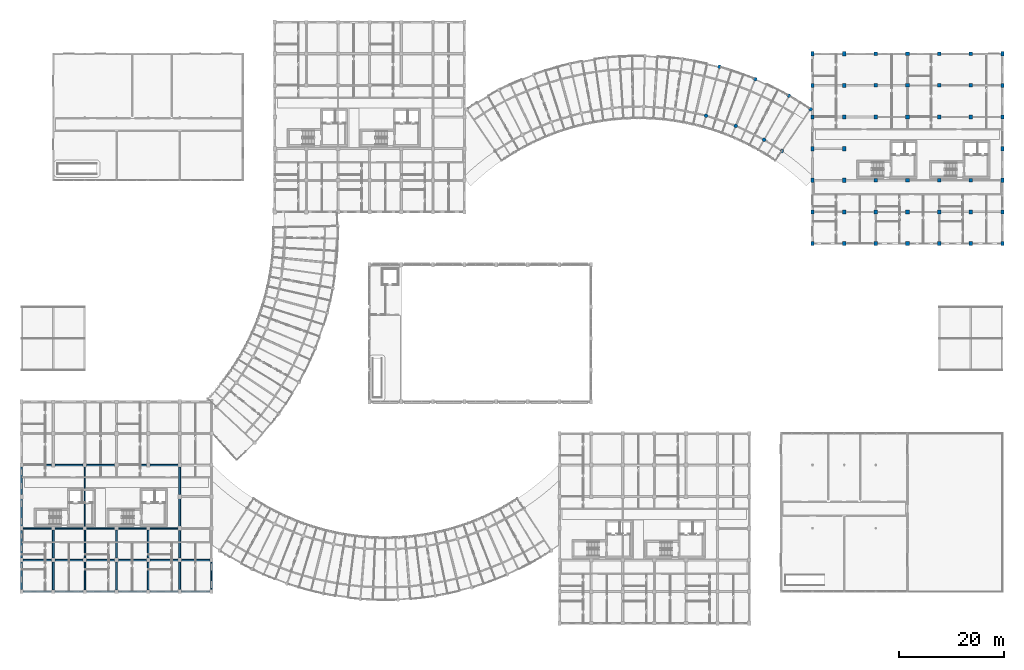
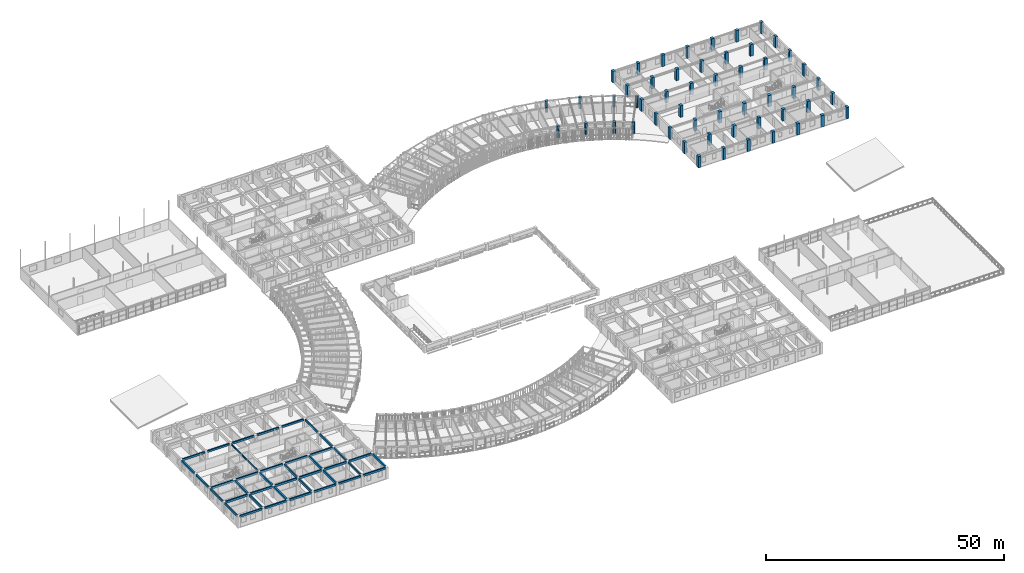
# One storey, part 14 of 137: 53 columns, 40 beams.
"""IFC4 building model written with IfcOpenShell, lengths in metres."""

from ifc_helpers import new_model, si_unit, direction, frame, origin, origin_2d, place, context, subcontext, project, spatial, rectangle, circle, i_section, extrude, material, material_profile, profile_set, type_object, element, save


model = new_model("IFC4")

# Units and contexts
model_context = context("Model", 3, precision=1e-05, world=origin(), true_north=direction((0.0, 1.0)))
body_context = subcontext(model_context, "Body", "Model", "MODEL_VIEW")
ifc_project = project(units=[si_unit("LENGTHUNIT", "METRE"), si_unit("AREAUNIT", "SQUARE_METRE"), si_unit("VOLUMEUNIT", "CUBIC_METRE"), si_unit("PLANEANGLEUNIT", "RADIAN"), si_unit("MASSUNIT", "GRAM", prefix="KILO"), si_unit("POWERUNIT", "WATT"), si_unit("THERMODYNAMICTEMPERATUREUNIT", "KELVIN")], contexts=[model_context])

# Site, building, storey
site_placement = place(None, origin())
site = spatial("IfcSite", under=ifc_project, at=site_placement, CompositionType="ELEMENT")
building_placement = place(site_placement, origin())
building = spatial("IfcBuilding", under=site, at=building_placement, Name="Ruvembo Vaulted Housing Court", CompositionType="ELEMENT")
storey_placement = place(building_placement, frame((0.0, 0.0, 4.5)))
storey = spatial("IfcBuildingStorey", under=building, at=storey_placement, Name="L01", CompositionType="ELEMENT", Elevation=4.5)

# Columns
ifc_material_1 = material(Name="Concrete C40/50", Category="concrete")
ifc_material_profile_1 = material_profile(ifc_material_1, rectangle(XDim=0.60009765625, YDim=0.800048828125, at=origin_2d()), Name="RC 600x800")
ifc_profile_set_1 = profile_set([ifc_material_profile_1], Name="Concrete C40/50")
column_type_1 = type_object("IfcColumnType", Name="COL-RC-600x800", PredefinedType="COLUMN", material=ifc_profile_set_1)
for number, where, z_axis, x_axis, name in (
    (1, (150.0, 72.0, 0.0), (0.0, 0.0, 1.0), (1.0, 0.0, 0.0), "L01 Column (150,72)"),
    (2, (150.0, 78.0, 0.0), (0.0, 0.0, 1.0), (1.0, 0.0, 0.0), "L01 Column (150,78)"),
    (3, (150.0, 84.0, 0.0), (0.0, 0.0, 1.0), (1.0, 0.0, 0.0), "L01 Column (150,84)"),
    (4, (150.0, 90.0, 0.0), (0.0, 0.0, 1.0), (1.0, 0.0, 0.0), "L01 Column (150,90)"),
    (5, (150.0, 96.0, 0.0), (0.0, 0.0, 1.0), (1.0, 0.0, 0.0), "L01 Column (150,96)"),
    (6, (150.0, 102.0, 0.0), (0.0, 0.0, 1.0), (1.0, 0.0, 0.0), "L01 Column (150,102)"),
    (7, (150.0, 108.0, 0.0), (0.0, 0.0, 1.0), (1.0, 0.0, 0.0), "L01 Column (150,108)"),
    (8, (156.0, 72.0, 0.0), (0.0, 0.0, 1.0), (1.0, 0.0, 0.0), "L01 Column (156,72)"),
    (9, (156.0, 78.0, 0.0), (0.0, 0.0, 1.0), (1.0, 0.0, 0.0), "L01 Column (156,78)"),
    (10, (156.0, 84.0, 0.0), (0.0, 0.0, 1.0), (1.0, 0.0, 0.0), "L01 Column (156,84)"),
    (11, (156.0, 90.0, 0.0), (0.0, 0.0, 1.0), (1.0, 0.0, 0.0), "L01 Column (156,90)"),
    (12, (156.0, 96.0, 0.0), (0.0, 0.0, 1.0), (1.0, 0.0, 0.0), "L01 Column (156,96)"),
    (13, (156.0, 102.0, 0.0), (0.0, 0.0, 1.0), (1.0, 0.0, 0.0), "L01 Column (156,102)"),
    (14, (156.0, 108.0, 0.0), (0.0, 0.0, 1.0), (1.0, 0.0, 0.0), "L01 Column (156,108)"),
    (15, (186.0, 72.0, 0.0), (0.0, 0.0, 1.0), (1.0, 0.0, 0.0), "L01 Column (186,72)"),
    (16, (186.0, 78.0, 0.0), (0.0, 0.0, 1.0), (1.0, 0.0, 0.0), "L01 Column (186,78)"),
    (17, (186.0, 84.0, 0.0), (0.0, 0.0, 1.0), (1.0, 0.0, 0.0), "L01 Column (186,84)"),
    (18, (186.0, 90.0, 0.0), (0.0, 0.0, 1.0), (1.0, 0.0, 0.0), "L01 Column (186,90)"),
    (19, (186.0, 96.0, 0.0), (0.0, 0.0, 1.0), (1.0, 0.0, 0.0), "L01 Column (186,96)"),
    (20, (186.0, 102.0, 0.0), (0.0, 0.0, 1.0), (1.0, 0.0, 0.0), "L01 Column (186,102)"),
    (21, (186.0, 108.0, 0.0), (0.0, 0.0, 1.0), (1.0, 0.0, 0.0), "L01 Column (186,108)"),
):
    element("IfcColumn", number, at=place(storey_placement, frame(where, z_axis=z_axis, x_axis=x_axis)), inside=storey, type_object=column_type_1, Name=name, PredefinedType="COLUMN", context=body_context, shape_type="SweptSolid", body=[
        extrude(rectangle(XDim=0.60009765625, YDim=0.800048828125, at=origin_2d()), origin(), (0.0, 0.0, 1.0), 2.945068359375),
    ])
ifc_material_profile_2 = material_profile(ifc_material_1, rectangle(XDim=0.699951171875, YDim=0.699951171875, at=origin_2d()), Name="RC 700x700")
ifc_profile_set_2 = profile_set([ifc_material_profile_2], Name="Concrete C40/50")
column_type_2 = type_object("IfcColumnType", Name="COL-RC-700", PredefinedType="COLUMN", material=ifc_profile_set_2)
for number, where, z_axis, x_axis, name in (
    (22, (162.0, 72.0, 0.0), (0.0, 0.0, 1.0), (1.0, 0.0, 0.0), "L01 Column (162,72)"),
    (23, (162.0, 78.0, 0.0), (0.0, 0.0, 1.0), (1.0, 0.0, 0.0), "L01 Column (162,78)"),
    (24, (162.0, 84.0, 0.0), (0.0, 0.0, 1.0), (1.0, 0.0, 0.0), "L01 Column (162,84)"),
    (25, (162.0, 96.0, 0.0), (0.0, 0.0, 1.0), (1.0, 0.0, 0.0), "L01 Column (162,96)"),
    (26, (162.0, 102.0, 0.0), (0.0, 0.0, 1.0), (1.0, 0.0, 0.0), "L01 Column (162,102)"),
    (27, (162.0, 108.0, 0.0), (0.0, 0.0, 1.0), (1.0, 0.0, 0.0), "L01 Column (162,108)"),
    (28, (168.0, 72.0, 0.0), (0.0, 0.0, 1.0), (1.0, 0.0, 0.0), "L01 Column (168,72)"),
    (29, (168.0, 78.0, 0.0), (0.0, 0.0, 1.0), (1.0, 0.0, 0.0), "L01 Column (168,78)"),
    (30, (168.0, 84.0, 0.0), (0.0, 0.0, 1.0), (1.0, 0.0, 0.0), "L01 Column (168,84)"),
    (31, (168.0, 96.0, 0.0), (0.0, 0.0, 1.0), (1.0, 0.0, 0.0), "L01 Column (168,96)"),
    (32, (168.0, 102.0, 0.0), (0.0, 0.0, 1.0), (1.0, 0.0, 0.0), "L01 Column (168,102)"),
    (33, (168.0, 108.0, 0.0), (0.0, 0.0, 1.0), (1.0, 0.0, 0.0), "L01 Column (168,108)"),
    (34, (174.0, 72.0, 0.0), (0.0, 0.0, 1.0), (1.0, 0.0, 0.0), "L01 Column (174,72)"),
    (35, (174.0, 78.0, 0.0), (0.0, 0.0, 1.0), (1.0, 0.0, 0.0), "L01 Column (174,78)"),
    (36, (174.0, 84.0, 0.0), (0.0, 0.0, 1.0), (1.0, 0.0, 0.0), "L01 Column (174,84)"),
    (37, (174.0, 96.0, 0.0), (0.0, 0.0, 1.0), (1.0, 0.0, 0.0), "L01 Column (174,96)"),
    (38, (174.0, 102.0, 0.0), (0.0, 0.0, 1.0), (1.0, 0.0, 0.0), "L01 Column (174,102)"),
    (39, (174.0, 108.0, 0.0), (0.0, 0.0, 1.0), (1.0, 0.0, 0.0), "L01 Column (174,108)"),
    (40, (180.0, 72.0, 0.0), (0.0, 0.0, 1.0), (1.0, 0.0, 0.0), "L01 Column (180,72)"),
    (41, (180.0, 78.0, 0.0), (0.0, 0.0, 1.0), (1.0, 0.0, 0.0), "L01 Column (180,78)"),
    (42, (180.0, 84.0, 0.0), (0.0, 0.0, 1.0), (1.0, 0.0, 0.0), "L01 Column (180,84)"),
    (43, (180.0, 96.0, 0.0), (0.0, 0.0, 1.0), (1.0, 0.0, 0.0), "L01 Column (180,96)"),
    (44, (180.0, 102.0, 0.0), (0.0, 0.0, 1.0), (1.0, 0.0, 0.0), "L01 Column (180,102)"),
    (45, (180.0, 108.0, 0.0), (0.0, 0.0, 1.0), (1.0, 0.0, 0.0), "L01 Column (180,108)"),
):
    element("IfcColumn", number, at=place(storey_placement, frame(where, z_axis=z_axis, x_axis=x_axis)), inside=storey, type_object=column_type_2, Name=name, PredefinedType="COLUMN", context=body_context, shape_type="SweptSolid", body=[
        extrude(rectangle(XDim=0.699951171875, YDim=0.699951171875, at=origin_2d()), origin(), (0.0, 0.0, 1.0), 2.945068359375),
    ])
ifc_material_profile_3 = material_profile(ifc_material_1, circle(Radius=0.35009765625, at=origin_2d()), Name="RC D700")
ifc_profile_set_3 = profile_set([ifc_material_profile_3], Name="Concrete C40/50")
column_type_3 = type_object("IfcColumnType", Name="PILOTIS-D700", PredefinedType="COLUMN", material=ifc_profile_set_3)
for number, where, z_axis, x_axis, name in (
    (46, (129.794677734375, 96.26318359375, 0.0), (0.0, 0.0, 1.0), (1.0, 0.0, 0.0), "L01 Scooped Pier CP-SC3-F08"),
    (47, (132.353759765625, 105.51611328125, 0.0), (0.0, 0.0, 1.0), (1.0, 0.0, 0.0), "L01 Scooped Pier CP-SC3-B08"),
    (48, (135.44189453125, 94.31591796875, 0.0), (0.0, 0.0, 1.0), (1.0, 0.0, 0.0), "L01 Scooped Pier CP-SC3-F09"),
    (49, (139.13037109375, 103.178955078125, 0.0), (0.0, 0.0, 1.0), (1.0, 0.0, 0.0), "L01 Scooped Pier CP-SC3-B09"),
    (50, (140.8037109375, 91.681884765625, 0.0), (0.0, 0.0, 1.0), (1.0, 0.0, 0.0), "L01 Scooped Pier CP-SC3-F10"),
    (51, (145.564453125, 100.018310546875, 0.0), (0.0, 0.0, 1.0), (1.0, 0.0, 0.0), "L01 Scooped Pier CP-SC3-B10"),
    (52, (144.17822265625, 89.564453125, 0.0), (0.0, 0.0, 1.0), (1.0, 0.0, 0.0), "L01 Scooped Pier CP-SC3-F11"),
    (53, (149.61376953125, 97.477294921875, 0.0), (0.0, 0.0, 1.0), (1.0, 0.0, 0.0), "L01 Scooped Pier CP-SC3-B11"),
):
    element("IfcColumn", number, at=place(storey_placement, frame(where, z_axis=z_axis, x_axis=x_axis)), inside=storey, type_object=column_type_3, Name=name, PredefinedType="COLUMN", context=body_context, shape_type="SweptSolid", body=[
        extrude(circle(Radius=0.35009765625, at=origin_2d()), origin(), (0.0, 0.0, 1.0), 2.947998046875),
    ])

# Beams
ifc_material_2 = material(Name="Concrete C35/45", Category="concrete")
ifc_material_profile_4 = material_profile(ifc_material_2, rectangle(XDim=0.300048828125, YDim=0.550048828125, at=origin_2d()), Name="RC 300x550")
ifc_profile_set_4 = profile_set([ifc_material_profile_4], Name="Concrete C35/45")
beam_type_1 = type_object("IfcBeamType", Name="BM-RC-300x550", PredefinedType="BEAM", material=ifc_profile_set_4)
beam_1_placement = place(storey_placement, frame((0.284912109375, 12.0, 2.669921875), z_axis=(1.0, 0.0, 0.0), x_axis=(0.0, 1.0, 0.0)))
element("IfcBeam", 54, at=beam_1_placement, inside=storey, type_object=beam_type_1, Name="L01 Grid Beam X #1154", PredefinedType="BEAM", context=body_context, shape_type="SweptSolid", body=[
    extrude(rectangle(XDim=0.300048828125, YDim=0.550048828125, at=origin_2d()), origin(), (0.0, 0.0, 1.0), 5.380126953125),
])
for number, where, z_axis, x_axis, name in (
    (55, (6.3349609375, 12.0, 2.669921875), (1.0, 0.0, 0.0), (0.0, 1.0, 0.0), "L01 Grid Beam X #1155"),
    (56, (12.3349609375, 12.0, 2.669921875), (1.0, 0.0, 0.0), (0.0, 1.0, 0.0), "L01 Grid Beam X #1156"),
    (57, (18.3349609375, 12.0, 2.669921875), (1.0, 0.0, 0.0), (0.0, 1.0, 0.0), "L01 Grid Beam X #1157"),
):
    element("IfcBeam", number, at=place(storey_placement, frame(where, z_axis=z_axis, x_axis=x_axis)), inside=storey, type_object=beam_type_1, Name=name, PredefinedType="BEAM", context=body_context, shape_type="SweptSolid", body=[
        extrude(rectangle(XDim=0.300048828125, YDim=0.550048828125, at=origin_2d()), origin(), (0.0, 0.0, 1.0), 5.330078125),
    ])
beam_2_placement = place(storey_placement, frame((24.3349609375, 12.0, 2.669921875), z_axis=(1.0, 0.0, 0.0), x_axis=(0.0, 1.0, 0.0)))
element("IfcBeam", 58, at=beam_2_placement, inside=storey, type_object=beam_type_1, Name="L01 Grid Beam X #1158", PredefinedType="BEAM", context=body_context, shape_type="SweptSolid", body=[
    extrude(rectangle(XDim=0.300048828125, YDim=0.550048828125, at=origin_2d()), origin(), (0.0, 0.0, 1.0), 5.380126953125),
])
beam_3_placement = place(storey_placement, frame((30.284912109375, 12.0, 2.669921875), z_axis=(1.0, 0.0, 0.0), x_axis=(0.0, 1.0, 0.0)))
element("IfcBeam", 59, at=beam_3_placement, inside=storey, type_object=beam_type_1, Name="L01 Grid Beam X #1159", PredefinedType="BEAM", context=body_context, shape_type="SweptSolid", body=[
    extrude(rectangle(XDim=0.300048828125, YDim=0.550048828125, at=origin_2d()), origin(), (0.0, 0.0, 1.0), 5.43017578125),
])
beam_4_placement = place(storey_placement, frame((0.284912109375, 18.0, 2.669921875), z_axis=(1.0, 0.0, 0.0), x_axis=(0.0, 1.0, 0.0)))
element("IfcBeam", 60, at=beam_4_placement, inside=storey, type_object=beam_type_1, Name="L01 Grid Beam X #1166", PredefinedType="BEAM", context=body_context, shape_type="SweptSolid", body=[
    extrude(rectangle(XDim=0.300048828125, YDim=0.550048828125, at=origin_2d()), origin(), (0.0, 0.0, 1.0), 5.380126953125),
])
for number, where, z_axis, x_axis, name in (
    (61, (6.3349609375, 18.0, 2.669921875), (1.0, 0.0, 0.0), (0.0, 1.0, 0.0), "L01 Grid Beam X #1167"),
    (62, (12.3349609375, 18.0, 2.669921875), (1.0, 0.0, 0.0), (0.0, 1.0, 0.0), "L01 Grid Beam X #1168"),
    (63, (18.3349609375, 18.0, 2.669921875), (1.0, 0.0, 0.0), (0.0, 1.0, 0.0), "L01 Grid Beam X #1169"),
):
    element("IfcBeam", number, at=place(storey_placement, frame(where, z_axis=z_axis, x_axis=x_axis)), inside=storey, type_object=beam_type_1, Name=name, PredefinedType="BEAM", context=body_context, shape_type="SweptSolid", body=[
        extrude(rectangle(XDim=0.300048828125, YDim=0.550048828125, at=origin_2d()), origin(), (0.0, 0.0, 1.0), 5.330078125),
    ])
beam_5_placement = place(storey_placement, frame((24.3349609375, 18.0, 2.669921875), z_axis=(1.0, 0.0, 0.0), x_axis=(0.0, 1.0, 0.0)))
element("IfcBeam", 64, at=beam_5_placement, inside=storey, type_object=beam_type_1, Name="L01 Grid Beam X #1170", PredefinedType="BEAM", context=body_context, shape_type="SweptSolid", body=[
    extrude(rectangle(XDim=0.300048828125, YDim=0.550048828125, at=origin_2d()), origin(), (0.0, 0.0, 1.0), 5.380126953125),
])
ifc_material_profile_5 = material_profile(ifc_material_2, rectangle(XDim=0.300048828125, YDim=0.60009765625, at=origin_2d()), Name="RC 300x600")
ifc_profile_set_5 = profile_set([ifc_material_profile_5], Name="Concrete C35/45")
beam_type_2 = type_object("IfcBeamType", Name="BM-RC-300x600", PredefinedType="BEAM", material=ifc_profile_set_5)
for number, where, z_axis, x_axis, name in (
    (65, (6.0, 6.3349609375, 2.64501953125), (0.0, 1.0, 0.0), (-1.0, 0.0, 0.0), "L01 Grid Beam Y #1314"),
    (66, (6.0, 12.3349609375, 2.64501953125), (0.0, 1.0, 0.0), (-1.0, 0.0, 0.0), "L01 Grid Beam Y #1315"),
    (67, (12.0, 6.3349609375, 2.64501953125), (0.0, 1.0, 0.0), (-1.0, 0.0, 0.0), "L01 Grid Beam Y #1318"),
    (68, (12.0, 12.3349609375, 2.64501953125), (0.0, 1.0, 0.0), (-1.0, 0.0, 0.0), "L01 Grid Beam Y #1319"),
    (69, (18.0, 6.3349609375, 2.64501953125), (0.0, 1.0, 0.0), (-1.0, 0.0, 0.0), "L01 Grid Beam Y #1323"),
    (70, (18.0, 12.3349609375, 2.64501953125), (0.0, 1.0, 0.0), (-1.0, 0.0, 0.0), "L01 Grid Beam Y #1324"),
    (71, (24.0, 6.3349609375, 2.64501953125), (0.0, 1.0, 0.0), (-1.0, 0.0, 0.0), "L01 Grid Beam Y #1327"),
    (72, (24.0, 12.3349609375, 2.64501953125), (0.0, 1.0, 0.0), (-1.0, 0.0, 0.0), "L01 Grid Beam Y #1328"),
):
    element("IfcBeam", number, at=place(storey_placement, frame(where, z_axis=z_axis, x_axis=x_axis)), inside=storey, type_object=beam_type_2, Name=name, PredefinedType="BEAM", context=body_context, shape_type="SweptSolid", body=[
        extrude(rectangle(XDim=0.300048828125, YDim=0.60009765625, at=origin_2d()), origin(), (0.0, 0.0, 1.0), 5.330078125),
    ])
ifc_material_3 = material(Name="Steel S355J2", Category="steel")
ifc_material_profile_6 = material_profile(ifc_material_3, i_section(OverallWidth=0.179931640625, OverallDepth=0.39990234375, WebThickness=0.008544921875, FlangeThickness=0.013427734375, FilletRadius=0.02099609375, at=origin_2d()), Name="IPE 400")
ifc_profile_set_6 = profile_set([ifc_material_profile_6], Name="Steel S355J2")
beam_type_3 = type_object("IfcBeamType", Name="BM-ST-IPE400", PredefinedType="BEAM", material=ifc_profile_set_6)
beam_6_placement = place(storey_placement, frame((12.0, 18.3349609375, 2.72607421875), z_axis=(0.0, 1.0, 0.0), x_axis=(-1.0, 0.0, 0.0)))
element("IfcBeam", 73, at=beam_6_placement, inside=storey, type_object=beam_type_3, Name="L01 Grid Beam Y #1320", PredefinedType="BEAM", context=body_context, shape_type="SweptSolid", body=[
    extrude(i_section(OverallWidth=0.179931640625, OverallDepth=0.39990234375, WebThickness=0.008544921875, FlangeThickness=0.013427734375, FilletRadius=0.02099609375, at=origin_2d()), origin(), (0.0, 0.0, 1.0), 11.330078125),
])
ifc_material_profile_7 = material_profile(ifc_material_2, rectangle(XDim=0.300048828125, YDim=0.5, at=origin_2d()), Name="RC 300x500")
ifc_profile_set_7 = profile_set([ifc_material_profile_7], Name="Concrete C35/45")
beam_type_4 = type_object("IfcBeamType", Name="SP-RC-300x500", PredefinedType="SPANDREL", material=ifc_profile_set_7)
beam_7_placement = place(storey_placement, frame((0.284912109375, 6.0, 2.695068359375), z_axis=(1.0, 0.0, 0.0), x_axis=(0.0, 1.0, 0.0)))
element("IfcBeam", 74, at=beam_7_placement, inside=storey, type_object=beam_type_4, Name="L01 Grid Beam X #1138", PredefinedType="SPANDREL", context=body_context, shape_type="SweptSolid", body=[
    extrude(rectangle(XDim=0.300048828125, YDim=0.5, at=origin_2d()), origin(), (0.0, 0.0, 1.0), 5.380126953125),
])
for number, where, z_axis, x_axis, name in (
    (75, (6.3349609375, 6.0, 2.695068359375), (1.0, 0.0, 0.0), (0.0, 1.0, 0.0), "L01 Grid Beam X #1139"),
    (76, (12.3349609375, 6.0, 2.695068359375), (1.0, 0.0, 0.0), (0.0, 1.0, 0.0), "L01 Grid Beam X #1140"),
    (77, (18.3349609375, 6.0, 2.695068359375), (1.0, 0.0, 0.0), (0.0, 1.0, 0.0), "L01 Grid Beam X #1141"),
):
    element("IfcBeam", number, at=place(storey_placement, frame(where, z_axis=z_axis, x_axis=x_axis)), inside=storey, type_object=beam_type_4, Name=name, PredefinedType="SPANDREL", context=body_context, shape_type="SweptSolid", body=[
        extrude(rectangle(XDim=0.300048828125, YDim=0.5, at=origin_2d()), origin(), (0.0, 0.0, 1.0), 5.330078125),
    ])
beam_8_placement = place(storey_placement, frame((24.3349609375, 6.0, 2.695068359375), z_axis=(1.0, 0.0, 0.0), x_axis=(0.0, 1.0, 0.0)))
element("IfcBeam", 78, at=beam_8_placement, inside=storey, type_object=beam_type_4, Name="L01 Grid Beam X #1142", PredefinedType="SPANDREL", context=body_context, shape_type="SweptSolid", body=[
    extrude(rectangle(XDim=0.300048828125, YDim=0.5, at=origin_2d()), origin(), (0.0, 0.0, 1.0), 5.380126953125),
])
beam_9_placement = place(storey_placement, frame((30.284912109375, 6.0, 2.695068359375), z_axis=(1.0, 0.0, 0.0), x_axis=(0.0, 1.0, 0.0)))
element("IfcBeam", 79, at=beam_9_placement, inside=storey, type_object=beam_type_4, Name="L01 Grid Beam X #1143", PredefinedType="SPANDREL", context=body_context, shape_type="SweptSolid", body=[
    extrude(rectangle(XDim=0.300048828125, YDim=0.5, at=origin_2d()), origin(), (0.0, 0.0, 1.0), 5.43017578125),
])
beam_10_placement = place(storey_placement, frame((0.284912109375, 30.0, 2.695068359375), z_axis=(1.0, 0.0, 0.0), x_axis=(0.0, 1.0, 0.0)))
element("IfcBeam", 80, at=beam_10_placement, inside=storey, type_object=beam_type_4, Name="L01 Grid Beam X #1180", PredefinedType="SPANDREL", context=body_context, shape_type="SweptSolid", body=[
    extrude(rectangle(XDim=0.300048828125, YDim=0.5, at=origin_2d()), origin(), (0.0, 0.0, 1.0), 5.380126953125),
])
for number, where, z_axis, x_axis, name in (
    (81, (6.3349609375, 30.0, 2.695068359375), (1.0, 0.0, 0.0), (0.0, 1.0, 0.0), "L01 Grid Beam X #1181"),
    (82, (12.3349609375, 30.0, 2.695068359375), (1.0, 0.0, 0.0), (0.0, 1.0, 0.0), "L01 Grid Beam X #1182"),
    (83, (18.3349609375, 30.0, 2.695068359375), (1.0, 0.0, 0.0), (0.0, 1.0, 0.0), "L01 Grid Beam X #1183"),
):
    element("IfcBeam", number, at=place(storey_placement, frame(where, z_axis=z_axis, x_axis=x_axis)), inside=storey, type_object=beam_type_4, Name=name, PredefinedType="SPANDREL", context=body_context, shape_type="SweptSolid", body=[
        extrude(rectangle(XDim=0.300048828125, YDim=0.5, at=origin_2d()), origin(), (0.0, 0.0, 1.0), 5.330078125),
    ])
beam_11_placement = place(storey_placement, frame((24.3349609375, 30.0, 2.695068359375), z_axis=(1.0, 0.0, 0.0), x_axis=(0.0, 1.0, 0.0)))
element("IfcBeam", 84, at=beam_11_placement, inside=storey, type_object=beam_type_4, Name="L01 Grid Beam X #1184", PredefinedType="SPANDREL", context=body_context, shape_type="SweptSolid", body=[
    extrude(rectangle(XDim=0.300048828125, YDim=0.5, at=origin_2d()), origin(), (0.0, 0.0, 1.0), 5.380126953125),
])
for number, where, z_axis, x_axis, name in (
    (85, (0.0, 6.385009765625, 2.695068359375), (0.0, 1.0, 0.0), (-1.0, 0.0, 0.0), "L01 Grid Beam Y #1308"),
    (86, (0.0, 12.385009765625, 2.695068359375), (0.0, 1.0, 0.0), (-1.0, 0.0, 0.0), "L01 Grid Beam Y #1309"),
    (87, (0.0, 18.385009765625, 2.695068359375), (0.0, 1.0, 0.0), (-1.0, 0.0, 0.0), "L01 Grid Beam Y #1310"),
    (88, (0.0, 24.385009765625, 2.695068359375), (0.0, 1.0, 0.0), (-1.0, 0.0, 0.0), "L01 Grid Beam Y #1311"),
    (89, (30.0, 6.385009765625, 2.695068359375), (0.0, 1.0, 0.0), (-1.0, 0.0, 0.0), "L01 Grid Beam Y #1331"),
    (90, (30.0, 12.385009765625, 2.695068359375), (0.0, 1.0, 0.0), (-1.0, 0.0, 0.0), "L01 Grid Beam Y #1332"),
    (91, (30.0, 18.385009765625, 2.695068359375), (0.0, 1.0, 0.0), (-1.0, 0.0, 0.0), "L01 Grid Beam Y #1333"),
    (92, (30.0, 24.385009765625, 2.695068359375), (0.0, 1.0, 0.0), (-1.0, 0.0, 0.0), "L01 Grid Beam Y #1334"),
    (93, (36.0, 6.385009765625, 2.695068359375), (0.0, 1.0, 0.0), (-1.0, 0.0, 0.0), "L01 Grid Beam Y #1337"),
):
    element("IfcBeam", number, at=place(storey_placement, frame(where, z_axis=z_axis, x_axis=x_axis)), inside=storey, type_object=beam_type_4, Name=name, PredefinedType="SPANDREL", context=body_context, shape_type="SweptSolid", body=[
        extrude(rectangle(XDim=0.300048828125, YDim=0.5, at=origin_2d()), origin(), (0.0, 0.0, 1.0), 5.22998046875),
    ])

save(model, "model.ifc")
